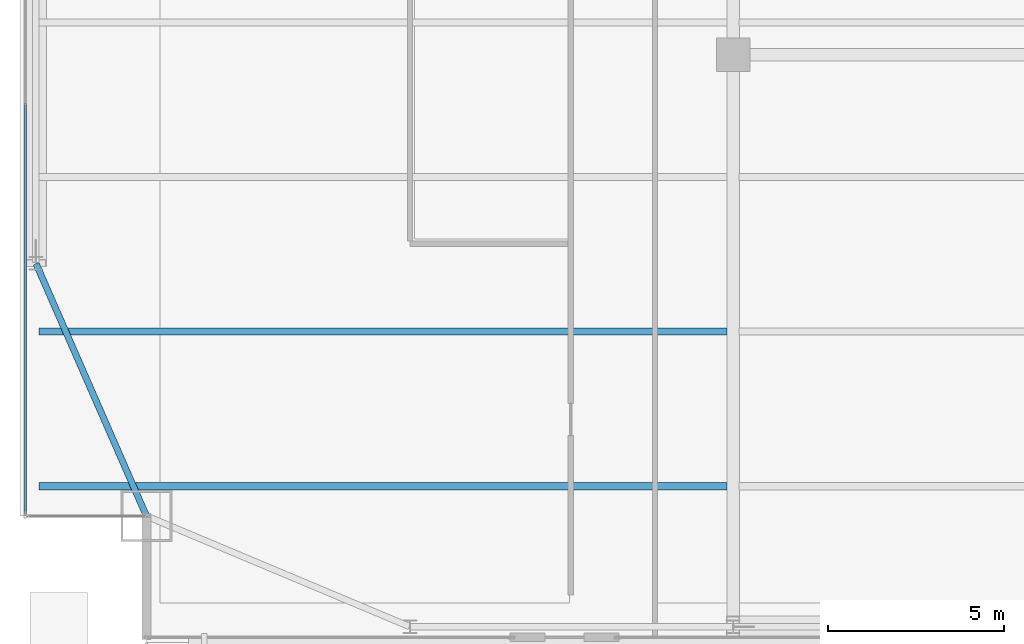
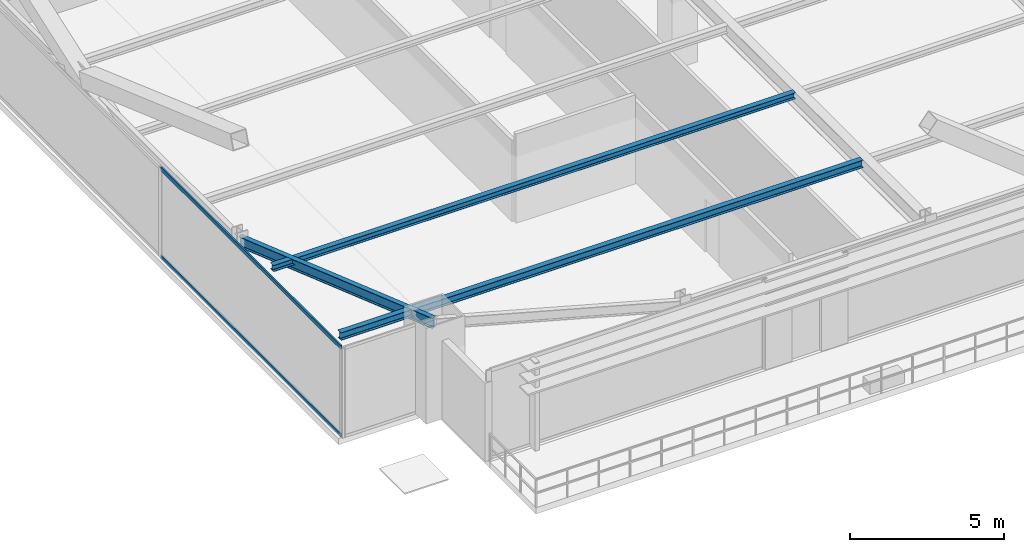
# One storey, part 5 of 35: 3 beams, 2 members, 1 element without a shape of its own.
"""IFC4 building model written with IfcOpenShell, lengths in metres."""

import ifcopenshell
import ifcopenshell.guid

model = None  # the IFC model being written
_history = None  # IfcOwnerHistory: only IFC2X3 demands one
_inside = {}  # id of a spatial element -> (the spatial element, [elements in it])
_under = {}  # id of a project, library or spatial element -> (it, [spatial elements below it])
_declared = {}  # id of a project -> (the project, [libraries it declares])
_typed = {}  # id of a type object -> (the type object, [elements of that type])
_made_of = {}  # id of a material, layer set ... -> (it, [elements and type objects made of it])


def new_model(schema):
    """Start an empty IFC model of exactly this schema.

    Asked for "IFC4X3", IfcOpenShell would pick the latest addendum, in which some entities
    have other attributes; the version numbers below select the first issue.
    IFC2X3 requires an IfcOwnerHistory on every rooted entity: one is made here for all.
    """
    global model, _history
    if schema == "IFC4X3":
        model = ifcopenshell.file(schema_version=(4, 3, 0, 0))
    else:
        model = ifcopenshell.file(schema=schema)
    _inside.clear()
    _under.clear()
    _declared.clear()
    _typed.clear()
    _made_of.clear()
    _history = None
    if model.schema == "IFC2X3":
        org = make("IfcOrganization", Name="unknown")
        user = make(
            "IfcPersonAndOrganization",
            ThePerson=make("IfcPerson", FamilyName="unknown"),
            TheOrganization=org,
        )
        app = make(
            "IfcApplication",
            ApplicationDeveloper=org,
            Version="unknown",
            ApplicationFullName="unknown",
            ApplicationIdentifier="unknown",
        )
        _history = make(
            "IfcOwnerHistory",
            OwningUser=user,
            OwningApplication=app,
            ChangeAction="ADDED",
            CreationDate=0,
        )
    return model


def make(cls, **values):
    """One entity of the class cls with the attributes given. An attribute that is None is left unset."""
    return model.create_entity(
        cls, **{name: value for name, value in values.items() if value is not None}
    )


def rooted(cls, **values):
    """An entity with a GlobalId (a new one), such as an element, a storey or a relation."""
    return make(cls, GlobalId=ifcopenshell.guid.new(), OwnerHistory=_history, **values)


def si_unit(unit_type, name, prefix=None):
    """IfcSIUnit, for example si_unit("LENGTHUNIT", "METRE", prefix="MILLI")."""
    return make("IfcSIUnit", UnitType=unit_type, Prefix=prefix, Name=name)


def assignment(units):
    """IfcUnitAssignment: the units of a project."""
    return None if units is None else make("IfcUnitAssignment", Units=units)


def point(xyz):
    """IfcCartesianPoint."""
    return None if xyz is None else make("IfcCartesianPoint", Coordinates=xyz)


def direction(xyz):
    """IfcDirection."""
    return None if xyz is None else make("IfcDirection", DirectionRatios=xyz)


def frame(location, z_axis=None, x_axis=None):
    """IfcAxis2Placement3D, a coordinate frame: its origin and axes. An axis left out is left unset."""
    return make(
        "IfcAxis2Placement3D",
        Location=point(location),
        Axis=direction(z_axis),
        RefDirection=direction(x_axis),
    )


def frame_2d(location, x_axis=None):
    """IfcAxis2Placement2D, a coordinate frame in the plane: its origin and x axis."""
    return make(
        "IfcAxis2Placement2D", Location=point(location), RefDirection=direction(x_axis)
    )


def origin():
    """The frame at (0, 0, 0) with its axes left unset."""
    return frame((0.0, 0.0, 0.0))


def origin_2d():
    """The frame at (0, 0) in the plane with its x axis left unset."""
    return frame_2d((0.0, 0.0))


def place(relative_to, where):
    """IfcLocalPlacement: puts the frame where relative to a parent placement (None: the world)."""
    return make(
        "IfcLocalPlacement", PlacementRelTo=relative_to, RelativePlacement=where
    )


def context(
    kind, dimensions, precision=None, world=None, true_north=None, identifier=None
):
    """IfcGeometricRepresentationContext, for example the 3D "Model" context."""
    return make(
        "IfcGeometricRepresentationContext",
        ContextIdentifier=identifier,
        ContextType=kind,
        CoordinateSpaceDimension=dimensions,
        Precision=precision,
        WorldCoordinateSystem=world,
        TrueNorth=true_north,
    )


def subcontext(parent, identifier, kind, view, scale=None):
    """IfcGeometricRepresentationSubContext, for example "Body" below "Model"."""
    return make(
        "IfcGeometricRepresentationSubContext",
        ContextIdentifier=identifier,
        ContextType=kind,
        ParentContext=parent,
        TargetScale=scale,
        TargetView=view,
    )


def project(units=None, contexts=None):
    """IfcProject with its units and contexts."""
    return rooted(
        "IfcProject",
        Name="project",
        RepresentationContexts=contexts,
        UnitsInContext=assignment(units),
    )


def spatial(cls, under=None, at=None, **own):
    """A site, building, storey or space (cls), placed at a placement, below another one or the project."""
    s = rooted(cls, ObjectPlacement=at, **own)
    if under is not None:
        _under.setdefault(under.id(), (under, []))[1].append(s)
    return s


def profile(cls, at=None, kind="AREA", **sizes):
    """A parametric profile (cls). Its sizes go by their IFC names, for example OverallWidth=200.0."""
    return make(cls, ProfileType=kind, Position=at, **sizes)


def hollow_rectangle(**sizes):
    """IfcRectangleHollowProfileDef."""
    return profile("IfcRectangleHollowProfileDef", **sizes)


def i_section(**sizes):
    """IfcIShapeProfileDef."""
    return profile("IfcIShapeProfileDef", **sizes)


def extrude(swept, where, along, depth):
    """IfcExtrudedAreaSolid: the profile swept, set in the frame where, extruded along a direction by depth."""
    return make(
        "IfcExtrudedAreaSolid",
        SweptArea=swept,
        Position=where,
        ExtrudedDirection=direction(along),
        Depth=depth,
    )


def shape(context_of_items, identifier, shape_type, items):
    """IfcShapeRepresentation: the items that make up one representation, for example the "Body"."""
    return make(
        "IfcShapeRepresentation",
        ContextOfItems=context_of_items,
        RepresentationIdentifier=identifier,
        RepresentationType=shape_type,
        Items=items,
    )


def source(mapping_origin, context_of_items, identifier, shape_type, items):
    """IfcRepresentationMap: a shape defined once, which mapped items show again and again."""
    return make(
        "IfcRepresentationMap",
        MappingOrigin=mapping_origin,
        MappedRepresentation=shape(context_of_items, identifier, shape_type, items),
    )


def transform(
    local_origin,
    x_axis=None,
    y_axis=None,
    z_axis=None,
    scale=None,
    scale2=None,
    scale3=None,
    uniform=True,
):
    """IfcCartesianTransformationOperator3D, or its non-uniform kind. x_axis, y_axis, z_axis: its Axis1, 2, 3."""
    if uniform:
        return make(
            "IfcCartesianTransformationOperator3D",
            Axis1=direction(x_axis),
            Axis2=direction(y_axis),
            LocalOrigin=point(local_origin),
            Scale=scale,
            Axis3=direction(z_axis),
        )
    return make(
        "IfcCartesianTransformationOperator3DnonUniform",
        Axis1=direction(x_axis),
        Axis2=direction(y_axis),
        LocalOrigin=point(local_origin),
        Scale=scale,
        Axis3=direction(z_axis),
        Scale2=scale2,
        Scale3=scale3,
    )


def mapped(mapping_source, mapping_target):
    """IfcMappedItem: shows the shape of a source again, moved by a transform."""
    return make(
        "IfcMappedItem", MappingSource=mapping_source, MappingTarget=mapping_target
    )


def material(Name=None, Category=None):
    """IfcMaterial."""
    return make("IfcMaterial", Name=Name, Category=Category)


def layer(
    of_material, thickness, ventilated=None, Name=None, Category=None, Priority=None
):
    """IfcMaterialLayer: one layer of a wall or slab, of a material (None: an air gap)."""
    return make(
        "IfcMaterialLayer",
        Material=of_material,
        LayerThickness=thickness,
        IsVentilated=ventilated,
        Name=Name,
        Category=Category,
        Priority=Priority,
    )


def layer_set(layers, Name=None):
    """IfcMaterialLayerSet."""
    return make("IfcMaterialLayerSet", MaterialLayers=layers, LayerSetName=Name)


def material_profile(
    of_material, cross_section, Name=None, Category=None, Priority=None
):
    """IfcMaterialProfile: a cross section and its material."""
    return make(
        "IfcMaterialProfile",
        Name=Name,
        Material=of_material,
        Profile=cross_section,
        Priority=Priority,
        Category=Category,
    )


def profile_set(profiles, Name=None, composite=None):
    """IfcMaterialProfileSet."""
    return make(
        "IfcMaterialProfileSet",
        Name=Name,
        MaterialProfiles=profiles,
        CompositeProfile=composite,
    )


def made_of(thing, what):
    """Note that an element or type object is made of a material, layer set ...; save() writes the relation."""
    if what is not None:
        _made_of.setdefault(what.id(), (what, []))[1].append(thing)
    return thing


def type_object(cls, material=None, **own):
    """A type object (cls), such as IfcWallType, which elements share."""
    return made_of(rooted(cls, **own), material)


def type_shapes(of_type, sources):
    """Give a type object the sources (RepresentationMaps) that its elements show as mapped items."""
    of_type.RepresentationMaps = sources


def element(
    cls,
    number,
    at=None,
    inside=None,
    cuts=None,
    type_object=None,
    material=None,
    context=None,
    identifier="Body",
    shape_type=None,
    held_by="IfcProductDefinitionShape",
    body=None,
    shapes=None,
    **own,
):
    """One element of the class cls, such as IfcWall. Its Tag is "e" and its number.

    at: its placement. inside: the storey or other place that contains it. cuts: it is an
    opening in that element (IfcRelVoidsElement). A single representation is given by context,
    identifier, shape_type and body (its items); several are given by shapes. held_by: the class
    of the entity that holds the representations. save() writes the other relations.
    """
    e = rooted(cls, Tag="e%d" % number, ObjectPlacement=at, **own)
    if body is not None:
        shapes = [shape(context, identifier, shape_type, body)]
    if shapes is not None:
        e.Representation = make(held_by, Representations=shapes)
    if inside is not None:
        _inside.setdefault(inside.id(), (inside, []))[1].append(e)
    if cuts is not None:
        rooted(
            "IfcRelVoidsElement", RelatingBuildingElement=cuts, RelatedOpeningElement=e
        )
    if type_object is not None:
        _typed.setdefault(type_object.id(), (type_object, []))[1].append(e)
    return made_of(e, material)


def aggregate(whole, parts):
    """IfcRelAggregates: a whole, such as a stair, and the parts it consists of."""
    return rooted("IfcRelAggregates", RelatingObject=whole, RelatedObjects=parts)


def save(model, path):
    """Write the relations noted so far, then the file.

    IfcRelAggregates (storeys below a building ...), IfcRelContainedInSpatialStructure (elements
    in a storey), IfcRelDefinesByType, IfcRelAssociatesMaterial and IfcRelDeclares: one each for
    every whole, place, type object, material and project.
    """
    for whole, parts in _under.values():
        aggregate(whole, parts)
    for where, things in _inside.values():
        rooted(
            "IfcRelContainedInSpatialStructure",
            RelatedElements=things,
            RelatingStructure=where,
        )
    for kind, things in _typed.values():
        rooted("IfcRelDefinesByType", RelatedObjects=things, RelatingType=kind)
    for what, things in _made_of.values():
        rooted("IfcRelAssociatesMaterial", RelatedObjects=things, RelatingMaterial=what)
    for by, libraries in _declared.values():
        rooted("IfcRelDeclares", RelatingContext=by, RelatedDefinitions=libraries)
    model.write(path)


model = new_model("IFC4")

# Units and contexts
model_context = context("Model", 3, precision=1e-05, world=origin(), true_north=direction((0.0, 1.0)))
body_context = subcontext(model_context, "Body", "Model", "MODEL_VIEW")
ifc_project = project(units=[si_unit("LENGTHUNIT", "METRE"), si_unit("AREAUNIT", "SQUARE_METRE"), si_unit("VOLUMEUNIT", "CUBIC_METRE"), si_unit("PLANEANGLEUNIT", "RADIAN"), si_unit("MASSUNIT", "GRAM", prefix="KILO")], contexts=[model_context])

# Site, building, storey
site_placement = place(None, origin())
site = spatial("IfcSite", under=ifc_project, at=site_placement, CompositionType="ELEMENT")
building_placement = place(site_placement, origin())
building = spatial("IfcBuilding", under=site, at=building_placement, Name="Varnel Quay Broadcast Tower", CompositionType="ELEMENT")
storey_placement = place(building_placement, frame((0.0, 0.0, 87.0)))
storey = spatial("IfcBuildingStorey", under=building, at=storey_placement, Name="L20", CompositionType="ELEMENT", Elevation=87.0)

# Beams
ifc_material_1 = material(Name="Structural Steel CSA G40.21 350W", Category="steel")
ifc_material_profile_1 = material_profile(ifc_material_1, i_section(OverallWidth=0.180908203125, OverallDepth=0.4169921875, WebThickness=0.010986328125, FlangeThickness=0.018310546875, FilletRadius=0.011962890625, at=origin_2d()), Name="W410X85")
ifc_profile_set_1 = profile_set([ifc_material_profile_1], Name="Structural Steel CSA G40.21 350W")
beam_type_1 = type_object("IfcBeamType", Name="Beam_W410X85", PredefinedType="SPANDREL", material=ifc_profile_set_1)
shared_shape_1 = source(origin(), body_context, "Body", "SweptSolid", [
    extrude(i_section(OverallWidth=0.180908203125, OverallDepth=0.4169921875, WebThickness=0.010986328125, FlangeThickness=0.018310546875, FilletRadius=0.011962890625, at=origin_2d()), origin(), (0.0, 0.0, 1.0), 7.81884765625),
])
type_shapes(beam_type_1, [shared_shape_1])
beam_1_placement = place(storey_placement, frame((8.092041015625, 7.818359375, 3.341552734375), z_axis=(-0.400827023998, 0.916153751743, 0.0), x_axis=(-0.916153751743, -0.400827023998, 0.0)))
element("IfcBeam", 1, at=beam_1_placement, inside=storey, type_object=beam_type_1, Name="L20 West Spandrel MC-SW-TC-W1", PredefinedType="SPANDREL", context=body_context, shape_type="MappedRepresentation", body=[
    mapped(shared_shape_1, transform((0.0, 0.0, 0.0), x_axis=(1.0, 0.0, 0.0), y_axis=(0.0, 1.0, 0.0), z_axis=(0.0, 0.0, 1.0), scale=1.0)),
])
ifc_material_profile_2 = material_profile(ifc_material_1, i_section(OverallWidth=0.202880859375, OverallDepth=0.302978515625, WebThickness=0.007568359375, FlangeThickness=0.01318359375, FilletRadius=0.011962890625, at=origin_2d()), Name="W310X60")
ifc_profile_set_2 = profile_set([ifc_material_profile_2], Name="Structural Steel CSA G40.21 350W")
beam_type_2 = type_object("IfcBeamType", Name="Beam_W310X60", PredefinedType="JOIST", material=ifc_profile_set_2)
shared_shape_2 = source(origin(), body_context, "Body", "SweptSolid", [
    extrude(i_section(OverallWidth=0.202880859375, OverallDepth=0.302978515625, WebThickness=0.007568359375, FlangeThickness=0.01318359375, FilletRadius=0.011962890625, at=origin_2d()), origin(), (0.0, 0.0, 1.0), 19.592041015625),
])
type_shapes(beam_type_2, [shared_shape_2])
beam_2_placement = place(storey_placement, frame((5.035400390625, 8.64990234375, 3.3984375), z_axis=(1.0, 0.0, 0.0), x_axis=(0.0, 1.0, 0.0)))
element("IfcBeam", 2, at=beam_2_placement, inside=storey, type_object=beam_type_2, Name="L20 West Floor Joist 1", PredefinedType="JOIST", context=body_context, shape_type="MappedRepresentation", body=[
    mapped(shared_shape_2, transform((0.0, 0.0, 0.0), x_axis=(1.0, 0.0, 0.0), y_axis=(0.0, 1.0, 0.0), z_axis=(0.0, 0.0, 1.0), scale=1.0)),
])
ifc_material_profile_3 = material_profile(ifc_material_1, i_section(OverallWidth=0.201904296875, OverallDepth=0.2470703125, WebThickness=0.00732421875, FlangeThickness=0.010986328125, FilletRadius=0.010986328125, at=origin_2d()), Name="W250X49")
ifc_profile_set_3 = profile_set([ifc_material_profile_3], Name="Structural Steel CSA G40.21 350W")
beam_type_3 = type_object("IfcBeamType", Name="Beam_W250X49", PredefinedType="JOIST", material=ifc_profile_set_3)
shared_shape_3 = source(origin(), body_context, "Body", "SweptSolid", [
    extrude(i_section(OverallWidth=0.201904296875, OverallDepth=0.2470703125, WebThickness=0.00732421875, FlangeThickness=0.010986328125, FilletRadius=0.010986328125, at=origin_2d()), origin(), (0.0, 0.0, 1.0), 19.592041015625),
])
type_shapes(beam_type_3, [shared_shape_3])
beam_3_placement = place(storey_placement, frame((5.035400390625, 13.050048828125, 3.426513671875), z_axis=(1.0, 0.0, 0.0), x_axis=(0.0, 1.0, 0.0)))
element("IfcBeam", 3, at=beam_3_placement, inside=storey, type_object=beam_type_3, Name="L20 West Floor Joist 2", PredefinedType="JOIST", context=body_context, shape_type="MappedRepresentation", body=[
    mapped(shared_shape_3, transform((0.0, 0.0, 0.0), x_axis=(1.0, 0.0, 0.0), y_axis=(0.0, 1.0, 0.0), z_axis=(0.0, 0.0, 1.0), scale=1.0)),
])

# Curtain wall, members
ifc_material_2 = material(Name="Anodised Bronze Aluminium 6063-T6", Category="aluminium")
ifc_layer = layer(ifc_material_2, 0.18994140625, Name="Anodised Bronze Aluminium 6063-T6")
ifc_layer_set = layer_set([ifc_layer], Name="Anodised Bronze Aluminium 6063-T6")
curtain_wall_type = type_object("IfcCurtainWallType", Name="CW_LowerTower", PredefinedType="NOTDEFINED", material=ifc_layer_set)
curtain_wall_placement = place(storey_placement, origin())
curtain_wall = element("IfcCurtainWall", 4, at=curtain_wall_placement, inside=storey, type_object=curtain_wall_type, Name="L20 West Unitised Curtain Wall", PredefinedType="NOTDEFINED")
ifc_material_profile_4 = material_profile(ifc_material_2, hollow_rectangle(XDim=0.06005859375, YDim=0.14501953125, WallThickness=0.00341796875, at=origin_2d()), Name="ALU60X145X3.5")
ifc_profile_set_4 = profile_set([ifc_material_profile_4], Name="Anodised Bronze Aluminium 6063-T6")
member_type = type_object("IfcMemberType", Name="Tran_CWS-02", PredefinedType="USERDEFINED", material=ifc_profile_set_4)
shared_shape_4 = source(origin(), body_context, "Body", "SweptSolid", [
    extrude(hollow_rectangle(XDim=0.06005859375, YDim=0.14501953125, WallThickness=0.00341796875, at=origin_2d()), origin(), (0.0, 0.0, 1.0), 11.69482421875),
])
type_shapes(member_type, [shared_shape_4])
member_1_placement = place(storey_placement, frame((4.64990234375, 7.8701171875, 0.030029296875), z_axis=(0.0, 1.0, 0.0), x_axis=(-1.0, 0.0, 0.0)))
member_1 = element("IfcMember", 5, at=member_1_placement, type_object=member_type, Name="CWS-02 transom 1.1", ObjectType="TRANSOM", PredefinedType="USERDEFINED", context=body_context, shape_type="MappedRepresentation", body=[
    mapped(shared_shape_4, transform((0.0, 0.0, 0.0), x_axis=(1.0, 0.0, 0.0), y_axis=(0.0, 1.0, 0.0), z_axis=(0.0, 0.0, 1.0), scale=1.0)),
])
member_2_placement = place(storey_placement, frame((4.64990234375, 7.8701171875, 3.52001953125), z_axis=(0.0, 1.0, 0.0), x_axis=(-1.0, 0.0, 0.0)))
member_2 = element("IfcMember", 6, at=member_2_placement, type_object=member_type, Name="CWS-02 transom 1.2", ObjectType="TRANSOM", PredefinedType="USERDEFINED", context=body_context, shape_type="MappedRepresentation", body=[
    mapped(shared_shape_4, transform((0.0, 0.0, 0.0), x_axis=(1.0, 0.0, 0.0), y_axis=(0.0, 1.0, 0.0), z_axis=(0.0, 0.0, 1.0), scale=1.0)),
])
aggregate(curtain_wall, [member_1, member_2])

save(model, "model.ifc")
